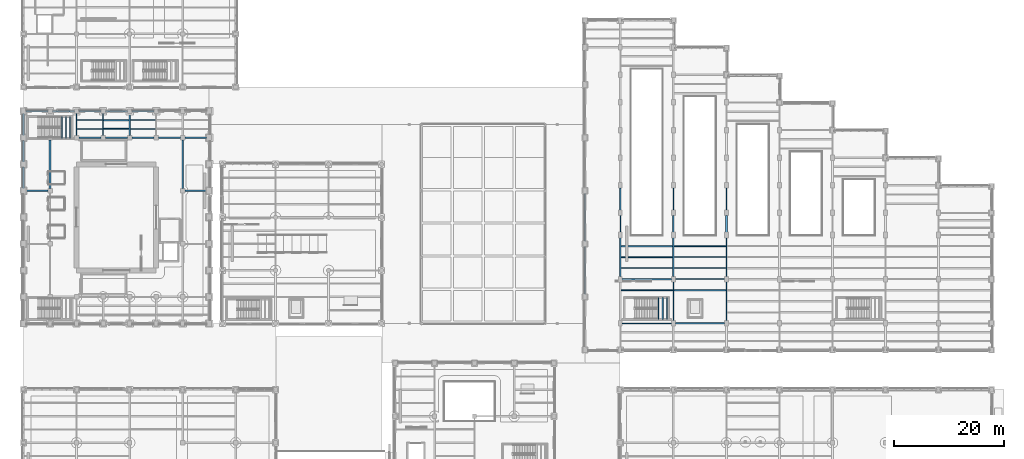
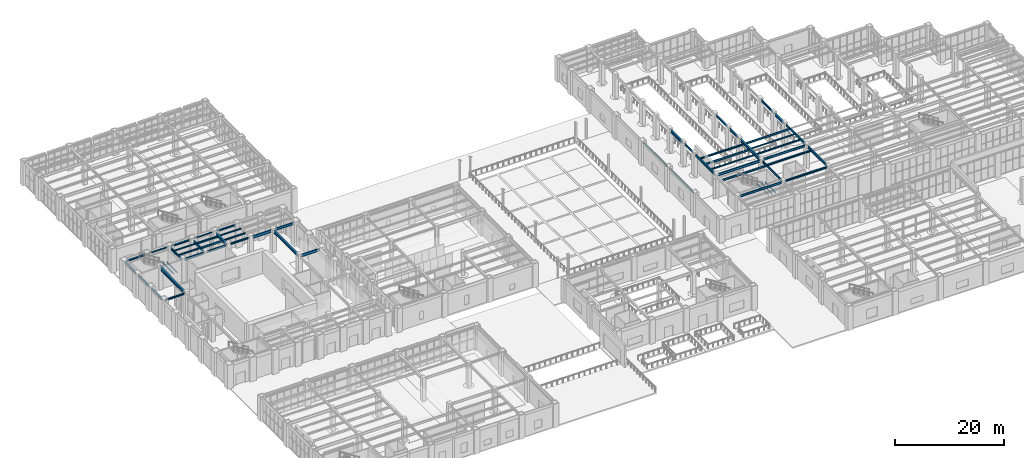
# One storey, part 57 of 164: 57 beams.
"""IFC4 building model written with IfcOpenShell, lengths in metres."""

import ifcopenshell
import ifcopenshell.guid

model = None  # the IFC model being written
_history = None  # IfcOwnerHistory: only IFC2X3 demands one
_inside = {}  # id of a spatial element -> (the spatial element, [elements in it])
_under = {}  # id of a project, library or spatial element -> (it, [spatial elements below it])
_declared = {}  # id of a project -> (the project, [libraries it declares])
_typed = {}  # id of a type object -> (the type object, [elements of that type])
_made_of = {}  # id of a material, layer set ... -> (it, [elements and type objects made of it])


def new_model(schema):
    """Start an empty IFC model of exactly this schema.

    Asked for "IFC4X3", IfcOpenShell would pick the latest addendum, in which some entities
    have other attributes; the version numbers below select the first issue.
    IFC2X3 requires an IfcOwnerHistory on every rooted entity: one is made here for all.
    """
    global model, _history
    if schema == "IFC4X3":
        model = ifcopenshell.file(schema_version=(4, 3, 0, 0))
    else:
        model = ifcopenshell.file(schema=schema)
    _inside.clear()
    _under.clear()
    _declared.clear()
    _typed.clear()
    _made_of.clear()
    _history = None
    if model.schema == "IFC2X3":
        org = make("IfcOrganization", Name="unknown")
        user = make(
            "IfcPersonAndOrganization",
            ThePerson=make("IfcPerson", FamilyName="unknown"),
            TheOrganization=org,
        )
        app = make(
            "IfcApplication",
            ApplicationDeveloper=org,
            Version="unknown",
            ApplicationFullName="unknown",
            ApplicationIdentifier="unknown",
        )
        _history = make(
            "IfcOwnerHistory",
            OwningUser=user,
            OwningApplication=app,
            ChangeAction="ADDED",
            CreationDate=0,
        )
    return model


def make(cls, **values):
    """One entity of the class cls with the attributes given. An attribute that is None is left unset."""
    return model.create_entity(
        cls, **{name: value for name, value in values.items() if value is not None}
    )


def rooted(cls, **values):
    """An entity with a GlobalId (a new one), such as an element, a storey or a relation."""
    return make(cls, GlobalId=ifcopenshell.guid.new(), OwnerHistory=_history, **values)


def si_unit(unit_type, name, prefix=None):
    """IfcSIUnit, for example si_unit("LENGTHUNIT", "METRE", prefix="MILLI")."""
    return make("IfcSIUnit", UnitType=unit_type, Prefix=prefix, Name=name)


def assignment(units):
    """IfcUnitAssignment: the units of a project."""
    return None if units is None else make("IfcUnitAssignment", Units=units)


def point(xyz):
    """IfcCartesianPoint."""
    return None if xyz is None else make("IfcCartesianPoint", Coordinates=xyz)


def direction(xyz):
    """IfcDirection."""
    return None if xyz is None else make("IfcDirection", DirectionRatios=xyz)


def frame(location, z_axis=None, x_axis=None):
    """IfcAxis2Placement3D, a coordinate frame: its origin and axes. An axis left out is left unset."""
    return make(
        "IfcAxis2Placement3D",
        Location=point(location),
        Axis=direction(z_axis),
        RefDirection=direction(x_axis),
    )


def frame_2d(location, x_axis=None):
    """IfcAxis2Placement2D, a coordinate frame in the plane: its origin and x axis."""
    return make(
        "IfcAxis2Placement2D", Location=point(location), RefDirection=direction(x_axis)
    )


def origin():
    """The frame at (0, 0, 0) with its axes left unset."""
    return frame((0.0, 0.0, 0.0))


def origin_2d():
    """The frame at (0, 0) in the plane with its x axis left unset."""
    return frame_2d((0.0, 0.0))


def place(relative_to, where):
    """IfcLocalPlacement: puts the frame where relative to a parent placement (None: the world)."""
    return make(
        "IfcLocalPlacement", PlacementRelTo=relative_to, RelativePlacement=where
    )


def context(
    kind, dimensions, precision=None, world=None, true_north=None, identifier=None
):
    """IfcGeometricRepresentationContext, for example the 3D "Model" context."""
    return make(
        "IfcGeometricRepresentationContext",
        ContextIdentifier=identifier,
        ContextType=kind,
        CoordinateSpaceDimension=dimensions,
        Precision=precision,
        WorldCoordinateSystem=world,
        TrueNorth=true_north,
    )


def subcontext(parent, identifier, kind, view, scale=None):
    """IfcGeometricRepresentationSubContext, for example "Body" below "Model"."""
    return make(
        "IfcGeometricRepresentationSubContext",
        ContextIdentifier=identifier,
        ContextType=kind,
        ParentContext=parent,
        TargetScale=scale,
        TargetView=view,
    )


def project(units=None, contexts=None):
    """IfcProject with its units and contexts."""
    return rooted(
        "IfcProject",
        Name="project",
        RepresentationContexts=contexts,
        UnitsInContext=assignment(units),
    )


def spatial(cls, under=None, at=None, **own):
    """A site, building, storey or space (cls), placed at a placement, below another one or the project."""
    s = rooted(cls, ObjectPlacement=at, **own)
    if under is not None:
        _under.setdefault(under.id(), (under, []))[1].append(s)
    return s


def profile(cls, at=None, kind="AREA", **sizes):
    """A parametric profile (cls). Its sizes go by their IFC names, for example OverallWidth=200.0."""
    return make(cls, ProfileType=kind, Position=at, **sizes)


def hollow_rectangle(**sizes):
    """IfcRectangleHollowProfileDef."""
    return profile("IfcRectangleHollowProfileDef", **sizes)


def i_section(**sizes):
    """IfcIShapeProfileDef."""
    return profile("IfcIShapeProfileDef", **sizes)


def extrude(swept, where, along, depth):
    """IfcExtrudedAreaSolid: the profile swept, set in the frame where, extruded along a direction by depth."""
    return make(
        "IfcExtrudedAreaSolid",
        SweptArea=swept,
        Position=where,
        ExtrudedDirection=direction(along),
        Depth=depth,
    )


def shape(context_of_items, identifier, shape_type, items):
    """IfcShapeRepresentation: the items that make up one representation, for example the "Body"."""
    return make(
        "IfcShapeRepresentation",
        ContextOfItems=context_of_items,
        RepresentationIdentifier=identifier,
        RepresentationType=shape_type,
        Items=items,
    )


def material(Name=None, Category=None):
    """IfcMaterial."""
    return make("IfcMaterial", Name=Name, Category=Category)


def material_profile(
    of_material, cross_section, Name=None, Category=None, Priority=None
):
    """IfcMaterialProfile: a cross section and its material."""
    return make(
        "IfcMaterialProfile",
        Name=Name,
        Material=of_material,
        Profile=cross_section,
        Priority=Priority,
        Category=Category,
    )


def profile_set(profiles, Name=None, composite=None):
    """IfcMaterialProfileSet."""
    return make(
        "IfcMaterialProfileSet",
        Name=Name,
        MaterialProfiles=profiles,
        CompositeProfile=composite,
    )


def made_of(thing, what):
    """Note that an element or type object is made of a material, layer set ...; save() writes the relation."""
    if what is not None:
        _made_of.setdefault(what.id(), (what, []))[1].append(thing)
    return thing


def type_object(cls, material=None, **own):
    """A type object (cls), such as IfcWallType, which elements share."""
    return made_of(rooted(cls, **own), material)


def element(
    cls,
    number,
    at=None,
    inside=None,
    cuts=None,
    type_object=None,
    material=None,
    context=None,
    identifier="Body",
    shape_type=None,
    held_by="IfcProductDefinitionShape",
    body=None,
    shapes=None,
    **own,
):
    """One element of the class cls, such as IfcWall. Its Tag is "e" and its number.

    at: its placement. inside: the storey or other place that contains it. cuts: it is an
    opening in that element (IfcRelVoidsElement). A single representation is given by context,
    identifier, shape_type and body (its items); several are given by shapes. held_by: the class
    of the entity that holds the representations. save() writes the other relations.
    """
    e = rooted(cls, Tag="e%d" % number, ObjectPlacement=at, **own)
    if body is not None:
        shapes = [shape(context, identifier, shape_type, body)]
    if shapes is not None:
        e.Representation = make(held_by, Representations=shapes)
    if inside is not None:
        _inside.setdefault(inside.id(), (inside, []))[1].append(e)
    if cuts is not None:
        rooted(
            "IfcRelVoidsElement", RelatingBuildingElement=cuts, RelatedOpeningElement=e
        )
    if type_object is not None:
        _typed.setdefault(type_object.id(), (type_object, []))[1].append(e)
    return made_of(e, material)


def aggregate(whole, parts):
    """IfcRelAggregates: a whole, such as a stair, and the parts it consists of."""
    return rooted("IfcRelAggregates", RelatingObject=whole, RelatedObjects=parts)


def save(model, path):
    """Write the relations noted so far, then the file.

    IfcRelAggregates (storeys below a building ...), IfcRelContainedInSpatialStructure (elements
    in a storey), IfcRelDefinesByType, IfcRelAssociatesMaterial and IfcRelDeclares: one each for
    every whole, place, type object, material and project.
    """
    for whole, parts in _under.values():
        aggregate(whole, parts)
    for where, things in _inside.values():
        rooted(
            "IfcRelContainedInSpatialStructure",
            RelatedElements=things,
            RelatingStructure=where,
        )
    for kind, things in _typed.values():
        rooted("IfcRelDefinesByType", RelatedObjects=things, RelatingType=kind)
    for what, things in _made_of.values():
        rooted("IfcRelAssociatesMaterial", RelatedObjects=things, RelatingMaterial=what)
    for by, libraries in _declared.values():
        rooted("IfcRelDeclares", RelatingContext=by, RelatedDefinitions=libraries)
    model.write(path)


model = new_model("IFC4")

# Units and contexts
model_context = context("Model", 3, precision=1e-05, world=origin(), true_north=direction((0.0, 1.0)))
body_context = subcontext(model_context, "Body", "Model", "MODEL_VIEW")
ifc_project = project(units=[si_unit("LENGTHUNIT", "METRE"), si_unit("AREAUNIT", "SQUARE_METRE"), si_unit("VOLUMEUNIT", "CUBIC_METRE"), si_unit("PLANEANGLEUNIT", "RADIAN"), si_unit("MASSUNIT", "GRAM", prefix="KILO")], contexts=[model_context])

# Site, building, storey
site_placement = place(None, origin())
site = spatial("IfcSite", under=ifc_project, at=site_placement, CompositionType="ELEMENT")
building_placement = place(site_placement, origin())
building = spatial("IfcBuilding", under=site, at=building_placement, Name="Mavantir Sound Aquarium", CompositionType="ELEMENT")
storey_placement = place(building_placement, origin())
storey = spatial("IfcBuildingStorey", under=building, at=storey_placement, Name="L00", CompositionType="ELEMENT", Elevation=0.0)

# Beams
ifc_material_1 = material(Name="Hollow Structural Steel ASTM A500 GrC", Category="steel")
ifc_material_profile_1 = material_profile(ifc_material_1, hollow_rectangle(XDim=0.199951171875, YDim=0.300048828125, WallThickness=0.012451171875, InnerFilletRadius=0.012451171875, OuterFilletRadius=0.02490234375, at=origin_2d()), Name="RHS 300X200X12.5")
ifc_profile_set_1 = profile_set([ifc_material_profile_1], Name="Hollow Structural Steel ASTM A500 GrC")
beam_type_1 = type_object("IfcBeamType", Name="BM-RHS300-E", PredefinedType="SPANDREL", material=ifc_profile_set_1)
beam_1_placement = place(storey_placement, frame((101.60009765625, 46.050048828125, 4.916015625), z_axis=(0.0, 1.0, 0.0), x_axis=(-1.0, 0.0, 0.0)))
element("IfcBeam", 1, at=beam_1_placement, inside=storey, type_object=beam_type_1, Name="L00 primary girder SS-R30 957", PredefinedType="SPANDREL", context=body_context, shape_type="SweptSolid", body=[
    extrude(hollow_rectangle(XDim=0.199951171875, YDim=0.300048828125, WallThickness=0.012451171875, InnerFilletRadius=0.012451171875, OuterFilletRadius=0.02490234375, at=origin_2d()), origin(), (0.0, 0.0, 1.0), 8.699951171875),
])
beam_2_placement = place(storey_placement, frame((101.60009765625, 55.64990234375, 4.916015625), z_axis=(0.0, 1.0, 0.0), x_axis=(-1.0, 0.0, 0.0)))
element("IfcBeam", 2, at=beam_2_placement, inside=storey, type_object=beam_type_1, Name="L00 primary girder SS-R30 958", PredefinedType="SPANDREL", context=body_context, shape_type="SweptSolid", body=[
    extrude(hollow_rectangle(XDim=0.199951171875, YDim=0.300048828125, WallThickness=0.012451171875, InnerFilletRadius=0.012451171875, OuterFilletRadius=0.02490234375, at=origin_2d()), origin(), (0.0, 0.0, 1.0), 8.7001953125),
])
ifc_material_2 = material(Name="Structural Steel ASTM A992 Gr50", Category="steel")
ifc_material_profile_2 = material_profile(ifc_material_2, i_section(OverallWidth=0.202880859375, OverallDepth=0.202880859375, WebThickness=0.007080078125, FlangeThickness=0.010986328125, FilletRadius=0.010009765625, at=origin_2d()), Name="W200X46")
ifc_profile_set_2 = profile_set([ifc_material_profile_2], Name="Structural Steel ASTM A992 Gr50")
beam_type_2 = type_object("IfcBeamType", Name="BM-W200X46-E", PredefinedType="LINTEL", material=ifc_profile_set_2)
for number, where, z_axis, x_axis, name in (
    (3, (5.22509765625, 79.199951171875, 4.89453125), (1.0, 0.0, 0.0), (0.0, 1.0, 0.0), "L00 primary beam SL-20 828"),
    (4, (14.824951171875, 79.199951171875, 4.89453125), (1.0, 0.0, 0.0), (0.0, 1.0, 0.0), "L00 primary beam SL-20 830"),
):
    element("IfcBeam", number, at=place(storey_placement, frame(where, z_axis=z_axis, x_axis=x_axis)), inside=storey, type_object=beam_type_2, Name=name, PredefinedType="LINTEL", context=body_context, shape_type="SweptSolid", body=[
        extrude(i_section(OverallWidth=0.202880859375, OverallDepth=0.202880859375, WebThickness=0.007080078125, FlangeThickness=0.010986328125, FilletRadius=0.010009765625, at=origin_2d()), origin(), (0.0, 0.0, 1.0), 3.949951171875),
    ])
ifc_material_profile_3 = material_profile(ifc_material_2, i_section(OverallWidth=0.202880859375, OverallDepth=0.202880859375, WebThickness=0.007080078125, FlangeThickness=0.010986328125, FilletRadius=0.010009765625, at=origin_2d()), Name="W200X46")
ifc_profile_set_3 = profile_set([ifc_material_profile_3], Name="Structural Steel ASTM A992 Gr50")
beam_type_3 = type_object("IfcBeamType", Name="BM-W200X46-I", PredefinedType="LINTEL", material=ifc_profile_set_3)
for number, where, z_axis, x_axis, name in (
    (5, (6.929931640625, 74.27490234375, 2.3955078125), (0.0, 1.0, 0.0), (-1.0, 0.0, 0.0), "Stair ST2 landing support beam 22"),
    (6, (7.679931640625, 74.27490234375, 2.3955078125), (0.0, 1.0, 0.0), (-1.0, 0.0, 0.0), "Stair ST2 landing support beam 23"),
    (7, (8.429931640625, 74.27490234375, 2.3955078125), (0.0, 1.0, 0.0), (-1.0, 0.0, 0.0), "Stair ST2 landing support beam 24"),
    (8, (114.929931640625, 41.47509765625, 2.3955078125), (0.0, 1.0, 0.0), (-1.0, 0.0, 0.0), "Stair ST4 landing support beam 58"),
    (9, (115.679931640625, 41.47509765625, 2.3955078125), (0.0, 1.0, 0.0), (-1.0, 0.0, 0.0), "Stair ST4 landing support beam 59"),
    (10, (116.429931640625, 41.47509765625, 2.3955078125), (0.0, 1.0, 0.0), (-1.0, 0.0, 0.0), "Stair ST4 landing support beam 60"),
):
    element("IfcBeam", number, at=place(storey_placement, frame(where, z_axis=z_axis, x_axis=x_axis)), inside=storey, type_object=beam_type_3, Name=name, PredefinedType="LINTEL", context=body_context, shape_type="SweptSolid", body=[
        extrude(i_section(OverallWidth=0.202880859375, OverallDepth=0.202880859375, WebThickness=0.007080078125, FlangeThickness=0.010986328125, FilletRadius=0.010009765625, at=origin_2d()), origin(), (0.0, 0.0, 1.0), 4.0),
    ])
ifc_material_profile_4 = material_profile(ifc_material_2, i_section(OverallWidth=0.202880859375, OverallDepth=0.251953125, WebThickness=0.008056640625, FlangeThickness=0.013427734375, FilletRadius=0.011962890625, at=origin_2d()), Name="W250X58")
ifc_profile_set_4 = profile_set([ifc_material_profile_4], Name="Structural Steel ASTM A992 Gr50")
beam_type_4 = type_object("IfcBeamType", Name="BM-W250X58-I", PredefinedType="JOIST", material=ifc_profile_set_4)
beam_3_placement = place(storey_placement, frame((9.697021484375, 77.60009765625, 4.8701171875), z_axis=(1.0, 0.0, 0.0), x_axis=(0.0, 1.0, 0.0)))
element("IfcBeam", 11, at=beam_3_placement, inside=storey, type_object=beam_type_4, Name="L00 secondary floor joist SJ-25 452", PredefinedType="JOIST", context=body_context, shape_type="SweptSolid", body=[
    extrude(i_section(OverallWidth=0.202880859375, OverallDepth=0.251953125, WebThickness=0.008056640625, FlangeThickness=0.013427734375, FilletRadius=0.011962890625, at=origin_2d()), origin(), (0.0, 0.0, 1.0), 4.596923828125),
])
beam_4_placement = place(storey_placement, frame((19.362060546875, 77.60009765625, 4.8701171875), z_axis=(1.0, 0.0, 0.0), x_axis=(0.0, 1.0, 0.0)))
element("IfcBeam", 12, at=beam_4_placement, inside=storey, type_object=beam_type_4, Name="L00 secondary floor joist SJ-25 456", PredefinedType="JOIST", context=body_context, shape_type="SweptSolid", body=[
    extrude(i_section(OverallWidth=0.202880859375, OverallDepth=0.251953125, WebThickness=0.008056640625, FlangeThickness=0.013427734375, FilletRadius=0.011962890625, at=origin_2d()), origin(), (0.0, 0.0, 1.0), 4.541015625),
])
beam_5_placement = place(storey_placement, frame((108.10595703125, 50.800048828125, 4.93994140625), z_axis=(1.0, 0.0, 0.0), x_axis=(0.0, 1.0, 0.0)))
element("IfcBeam", 13, at=beam_5_placement, inside=storey, type_object=beam_type_4, Name="L00 secondary floor joist SJ-25 536", PredefinedType="JOIST", context=body_context, shape_type="SweptSolid", body=[
    extrude(i_section(OverallWidth=0.202880859375, OverallDepth=0.251953125, WebThickness=0.008056640625, FlangeThickness=0.013427734375, FilletRadius=0.011962890625, at=origin_2d()), origin(), (0.0, 0.0, 1.0), 9.33203125),
])
beam_6_placement = place(storey_placement, frame((117.761962890625, 52.800048828125, 4.97998046875), z_axis=(1.0, 0.0, 0.0), x_axis=(0.0, 1.0, 0.0)))
element("IfcBeam", 14, at=beam_6_placement, inside=storey, type_object=beam_type_4, Name="L00 secondary floor joist SJ-25 540", PredefinedType="JOIST", context=body_context, shape_type="SweptSolid", body=[
    extrude(i_section(OverallWidth=0.202880859375, OverallDepth=0.251953125, WebThickness=0.008056640625, FlangeThickness=0.013427734375, FilletRadius=0.011962890625, at=origin_2d()), origin(), (0.0, 0.0, 1.0), 9.341064453125),
])
ifc_material_profile_5 = material_profile(ifc_material_2, i_section(OverallWidth=0.205078125, OverallDepth=0.31005859375, WebThickness=0.009521484375, FlangeThickness=0.016357421875, FilletRadius=0.012939453125, at=origin_2d()), Name="W310X74")
ifc_profile_set_5 = profile_set([ifc_material_profile_5], Name="Structural Steel ASTM A992 Gr50")
beam_type_5 = type_object("IfcBeamType", Name="BM-W310X74-I", PredefinedType="JOIST", material=ifc_profile_set_5)
beam_7_placement = place(storey_placement, frame((9.697021484375, 76.0, 4.841064453125), z_axis=(1.0, 0.0, 0.0), x_axis=(0.0, 1.0, 0.0)))
element("IfcBeam", 15, at=beam_7_placement, inside=storey, type_object=beam_type_5, Name="L00 secondary floor joist SJ-31 451", PredefinedType="JOIST", context=body_context, shape_type="SweptSolid", body=[
    extrude(i_section(OverallWidth=0.205078125, OverallDepth=0.31005859375, WebThickness=0.009521484375, FlangeThickness=0.016357421875, FilletRadius=0.012939453125, at=origin_2d()), origin(), (0.0, 0.0, 1.0), 4.596923828125),
])
beam_8_placement = place(storey_placement, frame((19.362060546875, 76.0, 4.841064453125), z_axis=(1.0, 0.0, 0.0), x_axis=(0.0, 1.0, 0.0)))
element("IfcBeam", 16, at=beam_8_placement, inside=storey, type_object=beam_type_5, Name="L00 secondary floor joist SJ-31 455", PredefinedType="JOIST", context=body_context, shape_type="SweptSolid", body=[
    extrude(i_section(OverallWidth=0.205078125, OverallDepth=0.31005859375, WebThickness=0.009521484375, FlangeThickness=0.016357421875, FilletRadius=0.012939453125, at=origin_2d()), origin(), (0.0, 0.0, 1.0), 4.541015625),
])
beam_9_placement = place(storey_placement, frame((117.761962890625, 50.800048828125, 4.950927734375), z_axis=(1.0, 0.0, 0.0), x_axis=(0.0, 1.0, 0.0)))
element("IfcBeam", 17, at=beam_9_placement, inside=storey, type_object=beam_type_5, Name="L00 secondary floor joist SJ-31 539", PredefinedType="JOIST", context=body_context, shape_type="SweptSolid", body=[
    extrude(i_section(OverallWidth=0.205078125, OverallDepth=0.31005859375, WebThickness=0.009521484375, FlangeThickness=0.016357421875, FilletRadius=0.012939453125, at=origin_2d()), origin(), (0.0, 0.0, 1.0), 9.341064453125),
])
ifc_material_profile_6 = material_profile(ifc_material_2, i_section(OverallWidth=0.304931640625, OverallDepth=0.30810546875, WebThickness=0.010009765625, FlangeThickness=0.015380859375, FilletRadius=0.014892578125, at=origin_2d()), Name="W310X97")
ifc_profile_set_6 = profile_set([ifc_material_profile_6], Name="Structural Steel ASTM A992 Gr50")
beam_type_6 = type_object("IfcBeamType", Name="BM-W310X97-E", PredefinedType="SPANDREL", material=ifc_profile_set_6)
beam_10_placement = place(storey_placement, frame((0.449951171875, 79.199951171875, 4.842041015625), z_axis=(1.0, 0.0, 0.0), x_axis=(0.0, 1.0, 0.0)))
element("IfcBeam", 18, at=beam_10_placement, inside=storey, type_object=beam_type_6, Name="L00 primary beam SS-31A 827", PredefinedType="SPANDREL", context=body_context, shape_type="SweptSolid", body=[
    extrude(i_section(OverallWidth=0.304931640625, OverallDepth=0.30810546875, WebThickness=0.010009765625, FlangeThickness=0.015380859375, FilletRadius=0.014892578125, at=origin_2d()), origin(), (0.0, 0.0, 1.0), 3.925048828125),
])
beam_11_placement = place(storey_placement, frame((10.02490234375, 79.199951171875, 4.842041015625), z_axis=(1.0, 0.0, 0.0), x_axis=(0.0, 1.0, 0.0)))
element("IfcBeam", 19, at=beam_11_placement, inside=storey, type_object=beam_type_6, Name="L00 primary beam SS-31A 829", PredefinedType="SPANDREL", context=body_context, shape_type="SweptSolid", body=[
    extrude(i_section(OverallWidth=0.304931640625, OverallDepth=0.30810546875, WebThickness=0.010009765625, FlangeThickness=0.015380859375, FilletRadius=0.014892578125, at=origin_2d()), origin(), (0.0, 0.0, 1.0), 3.9501953125),
])
beam_12_placement = place(storey_placement, frame((19.625, 79.199951171875, 4.842041015625), z_axis=(1.0, 0.0, 0.0), x_axis=(0.0, 1.0, 0.0)))
element("IfcBeam", 20, at=beam_12_placement, inside=storey, type_object=beam_type_6, Name="L00 primary beam SS-31A 831", PredefinedType="SPANDREL", context=body_context, shape_type="SweptSolid", body=[
    extrude(i_section(OverallWidth=0.304931640625, OverallDepth=0.30810546875, WebThickness=0.010009765625, FlangeThickness=0.015380859375, FilletRadius=0.014892578125, at=origin_2d()), origin(), (0.0, 0.0, 1.0), 3.949951171875),
])
for number, where, z_axis, x_axis, name in (
    (21, (0.0, 65.25, 4.842041015625), (0.0, 1.0, 0.0), (-1.0, 0.0, 0.0), "L00 primary girder SS-31A 839"),
    (22, (0.0, 70.050048828125, 4.842041015625), (0.0, 1.0, 0.0), (-1.0, 0.0, 0.0), "L00 primary girder SS-31A 840"),
    (23, (0.0, 74.85009765625, 4.842041015625), (0.0, 1.0, 0.0), (-1.0, 0.0, 0.0), "L00 primary girder SS-31A 841"),
):
    element("IfcBeam", number, at=place(storey_placement, frame(where, z_axis=z_axis, x_axis=x_axis)), inside=storey, type_object=beam_type_6, Name=name, PredefinedType="SPANDREL", context=body_context, shape_type="SweptSolid", body=[
        extrude(i_section(OverallWidth=0.304931640625, OverallDepth=0.30810546875, WebThickness=0.010009765625, FlangeThickness=0.015380859375, FilletRadius=0.014892578125, at=origin_2d()), origin(), (0.0, 0.0, 1.0), 3.89990234375),
    ])
ifc_material_profile_7 = material_profile(ifc_material_2, i_section(OverallWidth=0.257080078125, OverallDepth=0.363037109375, WebThickness=0.012939453125, FlangeThickness=0.021728515625, FilletRadius=0.014892578125, at=origin_2d()), Name="W360X122")
ifc_profile_set_7 = profile_set([ifc_material_profile_7], Name="Structural Steel ASTM A992 Gr50")
beam_type_7 = type_object("IfcBeamType", Name="BM-W360X122-I", PredefinedType="BEAM", material=ifc_profile_set_7)
beam_13_placement = place(storey_placement, frame((0.449951171875, 64.800048828125, 4.814453125), z_axis=(1.0, 0.0, 0.0), x_axis=(0.0, 1.0, 0.0)))
element("IfcBeam", 24, at=beam_13_placement, inside=storey, type_object=beam_type_7, Name="L00 primary beam SB-36A 820", PredefinedType="BEAM", context=body_context, shape_type="SweptSolid", body=[
    extrude(i_section(OverallWidth=0.257080078125, OverallDepth=0.363037109375, WebThickness=0.012939453125, FlangeThickness=0.021728515625, FilletRadius=0.014892578125, at=origin_2d()), origin(), (0.0, 0.0, 1.0), 3.925048828125),
])
beam_14_placement = place(storey_placement, frame((19.625, 74.39990234375, 4.814453125), z_axis=(1.0, 0.0, 0.0), x_axis=(0.0, 1.0, 0.0)))
element("IfcBeam", 25, at=beam_14_placement, inside=storey, type_object=beam_type_7, Name="L00 primary beam SB-36A 824", PredefinedType="BEAM", context=body_context, shape_type="SweptSolid", body=[
    extrude(i_section(OverallWidth=0.257080078125, OverallDepth=0.363037109375, WebThickness=0.012939453125, FlangeThickness=0.021728515625, FilletRadius=0.014892578125, at=origin_2d()), origin(), (0.0, 0.0, 1.0), 3.949951171875),
])
beam_15_placement = place(storey_placement, frame((117.949951171875, 40.800048828125, 4.884521484375), z_axis=(1.0, 0.0, 0.0), x_axis=(0.0, 1.0, 0.0)))
element("IfcBeam", 26, at=beam_15_placement, inside=storey, type_object=beam_type_7, Name="L00 primary beam SB-36A 932", PredefinedType="BEAM", context=body_context, shape_type="SweptSolid", body=[
    extrude(i_section(OverallWidth=0.257080078125, OverallDepth=0.363037109375, WebThickness=0.012939453125, FlangeThickness=0.021728515625, FilletRadius=0.014892578125, at=origin_2d()), origin(), (0.0, 0.0, 1.0), 8.900146484375),
])
ifc_material_profile_8 = material_profile(ifc_material_2, i_section(OverallWidth=0.25390625, OverallDepth=0.35302734375, WebThickness=0.009521484375, FlangeThickness=0.016357421875, FilletRadius=0.014892578125, at=origin_2d()), Name="W360X91")
ifc_profile_set_8 = profile_set([ifc_material_profile_8], Name="Structural Steel ASTM A992 Gr50")
beam_type_8 = type_object("IfcBeamType", Name="BM-W360X91-I", PredefinedType="JOIST", material=ifc_profile_set_8)
beam_16_placement = place(storey_placement, frame((14.506103515625, 77.60009765625, 4.819580078125), z_axis=(1.0, 0.0, 0.0), x_axis=(0.0, 1.0, 0.0)))
element("IfcBeam", 27, at=beam_16_placement, inside=storey, type_object=beam_type_8, Name="L00 secondary floor joist SJ-36 454", PredefinedType="JOIST", context=body_context, shape_type="SweptSolid", body=[
    extrude(i_section(OverallWidth=0.25390625, OverallDepth=0.35302734375, WebThickness=0.009521484375, FlangeThickness=0.016357421875, FilletRadius=0.014892578125, at=origin_2d()), origin(), (0.0, 0.0, 1.0), 4.531982421875),
])
beam_17_placement = place(storey_placement, frame((117.697021484375, 46.800048828125, 4.929443359375), z_axis=(1.0, 0.0, 0.0), x_axis=(0.0, 1.0, 0.0)))
element("IfcBeam", 28, at=beam_17_placement, inside=storey, type_object=beam_type_8, Name="L00 secondary floor joist SJ-36 522", PredefinedType="JOIST", context=body_context, shape_type="SweptSolid", body=[
    extrude(i_section(OverallWidth=0.25390625, OverallDepth=0.35302734375, WebThickness=0.009521484375, FlangeThickness=0.016357421875, FilletRadius=0.014892578125, at=origin_2d()), origin(), (0.0, 0.0, 1.0), 9.39697265625),
])
beam_18_placement = place(storey_placement, frame((108.10595703125, 54.800048828125, 4.889404296875), z_axis=(1.0, 0.0, 0.0), x_axis=(0.0, 1.0, 0.0)))
element("IfcBeam", 29, at=beam_18_placement, inside=storey, type_object=beam_type_8, Name="L00 secondary floor joist SJ-36 538", PredefinedType="JOIST", context=body_context, shape_type="SweptSolid", body=[
    extrude(i_section(OverallWidth=0.25390625, OverallDepth=0.35302734375, WebThickness=0.009521484375, FlangeThickness=0.016357421875, FilletRadius=0.014892578125, at=origin_2d()), origin(), (0.0, 0.0, 1.0), 9.33203125),
])
ifc_material_profile_9 = material_profile(ifc_material_2, i_section(OverallWidth=0.180908203125, OverallDepth=0.4169921875, WebThickness=0.010986328125, FlangeThickness=0.018310546875, FilletRadius=0.014892578125, at=origin_2d()), Name="W410X85")
ifc_profile_set_9 = profile_set([ifc_material_profile_9], Name="Structural Steel ASTM A992 Gr50")
beam_type_9 = type_object("IfcBeamType", Name="BM-W410X85-I", PredefinedType="JOIST", material=ifc_profile_set_9)
beam_19_placement = place(storey_placement, frame((14.506103515625, 76.0, 4.78759765625), z_axis=(1.0, 0.0, 0.0), x_axis=(0.0, 1.0, 0.0)))
element("IfcBeam", 30, at=beam_19_placement, inside=storey, type_object=beam_type_9, Name="L00 secondary floor joist SJ-41 453", PredefinedType="JOIST", context=body_context, shape_type="SweptSolid", body=[
    extrude(i_section(OverallWidth=0.180908203125, OverallDepth=0.4169921875, WebThickness=0.010986328125, FlangeThickness=0.018310546875, FilletRadius=0.014892578125, at=origin_2d()), origin(), (0.0, 0.0, 1.0), 4.531982421875),
])
beam_20_placement = place(storey_placement, frame((108.162109375, 46.800048828125, 4.857421875), z_axis=(1.0, 0.0, 0.0), x_axis=(0.0, 1.0, 0.0)))
element("IfcBeam", 31, at=beam_20_placement, inside=storey, type_object=beam_type_9, Name="L00 secondary floor joist SJ-41 521", PredefinedType="JOIST", context=body_context, shape_type="SweptSolid", body=[
    extrude(i_section(OverallWidth=0.180908203125, OverallDepth=0.4169921875, WebThickness=0.010986328125, FlangeThickness=0.018310546875, FilletRadius=0.014892578125, at=origin_2d()), origin(), (0.0, 0.0, 1.0), 9.3408203125),
])
beam_21_placement = place(storey_placement, frame((108.10595703125, 52.800048828125, 4.857421875), z_axis=(1.0, 0.0, 0.0), x_axis=(0.0, 1.0, 0.0)))
element("IfcBeam", 32, at=beam_21_placement, inside=storey, type_object=beam_type_9, Name="L00 secondary floor joist SJ-41 537", PredefinedType="JOIST", context=body_context, shape_type="SweptSolid", body=[
    extrude(i_section(OverallWidth=0.180908203125, OverallDepth=0.4169921875, WebThickness=0.010986328125, FlangeThickness=0.018310546875, FilletRadius=0.014892578125, at=origin_2d()), origin(), (0.0, 0.0, 1.0), 9.33203125),
])
beam_22_placement = place(storey_placement, frame((117.761962890625, 54.800048828125, 4.8974609375), z_axis=(1.0, 0.0, 0.0), x_axis=(0.0, 1.0, 0.0)))
element("IfcBeam", 33, at=beam_22_placement, inside=storey, type_object=beam_type_9, Name="L00 secondary floor joist SJ-41 541", PredefinedType="JOIST", context=body_context, shape_type="SweptSolid", body=[
    extrude(i_section(OverallWidth=0.180908203125, OverallDepth=0.4169921875, WebThickness=0.010986328125, FlangeThickness=0.018310546875, FilletRadius=0.014892578125, at=origin_2d()), origin(), (0.0, 0.0, 1.0), 9.341064453125),
])
ifc_material_profile_10 = material_profile(ifc_material_2, i_section(OverallWidth=0.194091796875, OverallDepth=0.468994140625, WebThickness=0.0126953125, FlangeThickness=0.0205078125, FilletRadius=0.01611328125, at=origin_2d()), Name="W460X106")
ifc_profile_set_10 = profile_set([ifc_material_profile_10], Name="Structural Steel ASTM A992 Gr50")
beam_type_10 = type_object("IfcBeamType", Name="BM-W460X106-I", PredefinedType="BEAM", material=ifc_profile_set_10)
for number, where, z_axis, x_axis, name in (
    (34, (14.824951171875, 74.39990234375, 4.761474609375), (1.0, 0.0, 0.0), (0.0, 1.0, 0.0), "L00 primary beam SB-46 823"),
    (35, (9.60009765625, 74.824951171875, 4.761474609375), (0.0, 1.0, 0.0), (-1.0, 0.0, 0.0), "L00 primary girder SB-46 846"),
):
    element("IfcBeam", number, at=place(storey_placement, frame(where, z_axis=z_axis, x_axis=x_axis)), inside=storey, type_object=beam_type_10, Name=name, PredefinedType="BEAM", context=body_context, shape_type="SweptSolid", body=[
        extrude(i_section(OverallWidth=0.194091796875, OverallDepth=0.468994140625, WebThickness=0.0126953125, FlangeThickness=0.0205078125, FilletRadius=0.01611328125, at=origin_2d()), origin(), (0.0, 0.0, 1.0), 3.949951171875),
    ])
beam_23_placement = place(storey_placement, frame((108.35009765625, 40.800048828125, 4.83154296875), z_axis=(1.0, 0.0, 0.0), x_axis=(0.0, 1.0, 0.0)))
element("IfcBeam", 36, at=beam_23_placement, inside=storey, type_object=beam_type_10, Name="L00 primary beam SB-46 931", PredefinedType="BEAM", context=body_context, shape_type="SweptSolid", body=[
    extrude(i_section(OverallWidth=0.194091796875, OverallDepth=0.468994140625, WebThickness=0.0126953125, FlangeThickness=0.0205078125, FilletRadius=0.01611328125, at=origin_2d()), origin(), (0.0, 0.0, 1.0), 8.89990234375),
])
beam_24_placement = place(storey_placement, frame((117.949951171875, 48.800048828125, 4.87158203125), z_axis=(1.0, 0.0, 0.0), x_axis=(0.0, 1.0, 0.0)))
element("IfcBeam", 37, at=beam_24_placement, inside=storey, type_object=beam_type_10, Name="L00 primary beam SB-46 939", PredefinedType="BEAM", context=body_context, shape_type="SweptSolid", body=[
    extrude(i_section(OverallWidth=0.194091796875, OverallDepth=0.468994140625, WebThickness=0.0126953125, FlangeThickness=0.0205078125, FilletRadius=0.01611328125, at=origin_2d()), origin(), (0.0, 0.0, 1.0), 8.900146484375),
])
beam_25_placement = place(storey_placement, frame((108.0, 57.25, 4.83154296875), z_axis=(0.0, 1.0, 0.0), x_axis=(-1.0, 0.0, 0.0)))
element("IfcBeam", 38, at=beam_25_placement, inside=storey, type_object=beam_type_10, Name="L00 primary girder SB-46 966", PredefinedType="BEAM", context=body_context, shape_type="SweptSolid", body=[
    extrude(i_section(OverallWidth=0.194091796875, OverallDepth=0.468994140625, WebThickness=0.0126953125, FlangeThickness=0.0205078125, FilletRadius=0.01611328125, at=origin_2d()), origin(), (0.0, 0.0, 1.0), 3.10009765625),
])
beam_26_placement = place(storey_placement, frame((117.60009765625, 41.25, 4.83154296875), z_axis=(0.0, 1.0, 0.0), x_axis=(-1.0, 0.0, 0.0)))
element("IfcBeam", 39, at=beam_26_placement, inside=storey, type_object=beam_type_10, Name="L00 primary girder SB-46 975", PredefinedType="BEAM", context=body_context, shape_type="SweptSolid", body=[
    extrude(i_section(OverallWidth=0.194091796875, OverallDepth=0.468994140625, WebThickness=0.0126953125, FlangeThickness=0.0205078125, FilletRadius=0.01611328125, at=origin_2d()), origin(), (0.0, 0.0, 1.0), 7.10009765625),
])
beam_27_placement = place(storey_placement, frame((117.60009765625, 61.25, 4.83154296875), z_axis=(0.0, 1.0, 0.0), x_axis=(-1.0, 0.0, 0.0)))
element("IfcBeam", 40, at=beam_27_placement, inside=storey, type_object=beam_type_10, Name="L00 primary girder SB-46 978", PredefinedType="BEAM", context=body_context, shape_type="SweptSolid", body=[
    extrude(i_section(OverallWidth=0.194091796875, OverallDepth=0.468994140625, WebThickness=0.0126953125, FlangeThickness=0.0205078125, FilletRadius=0.01611328125, at=origin_2d()), origin(), (0.0, 0.0, 1.0), 4.10009765625),
])
beam_28_placement = place(storey_placement, frame((127.199951171875, 49.25, 4.8515625), z_axis=(0.0, 1.0, 0.0), x_axis=(-1.0, 0.0, 0.0)))
element("IfcBeam", 41, at=beam_28_placement, inside=storey, type_object=beam_type_10, Name="L00 primary girder SB-46 987", PredefinedType="BEAM", context=body_context, shape_type="SweptSolid", body=[
    extrude(i_section(OverallWidth=0.194091796875, OverallDepth=0.468994140625, WebThickness=0.0126953125, FlangeThickness=0.0205078125, FilletRadius=0.01611328125, at=origin_2d()), origin(), (0.0, 0.0, 1.0), 7.10009765625),
])
ifc_material_profile_11 = material_profile(ifc_material_2, i_section(OverallWidth=0.2119140625, OverallDepth=0.5439453125, WebThickness=0.01318359375, FlangeThickness=0.021240234375, FilletRadius=0.01806640625, at=origin_2d()), Name="W530X123")
ifc_profile_set_11 = profile_set([ifc_material_profile_11], Name="Structural Steel ASTM A992 Gr50")
beam_type_11 = type_object("IfcBeamType", Name="BM-W530X123-I", PredefinedType="BEAM", material=ifc_profile_set_11)
beam_29_placement = place(storey_placement, frame((10.02490234375, 74.39990234375, 4.72412109375), z_axis=(1.0, 0.0, 0.0), x_axis=(0.0, 1.0, 0.0)))
element("IfcBeam", 42, at=beam_29_placement, inside=storey, type_object=beam_type_11, Name="L00 primary beam SB-53 822", PredefinedType="BEAM", context=body_context, shape_type="SweptSolid", body=[
    extrude(i_section(OverallWidth=0.2119140625, OverallDepth=0.5439453125, WebThickness=0.01318359375, FlangeThickness=0.021240234375, FilletRadius=0.01806640625, at=origin_2d()), origin(), (0.0, 0.0, 1.0), 3.9501953125),
])
beam_30_placement = place(storey_placement, frame((29.22509765625, 74.39990234375, 4.72412109375), z_axis=(1.0, 0.0, 0.0), x_axis=(0.0, 1.0, 0.0)))
element("IfcBeam", 43, at=beam_30_placement, inside=storey, type_object=beam_type_11, Name="L00 primary beam SB-53 826", PredefinedType="BEAM", context=body_context, shape_type="SweptSolid", body=[
    extrude(i_section(OverallWidth=0.2119140625, OverallDepth=0.5439453125, WebThickness=0.01318359375, FlangeThickness=0.021240234375, FilletRadius=0.01806640625, at=origin_2d()), origin(), (0.0, 0.0, 1.0), 3.9248046875),
])
beam_31_placement = place(storey_placement, frame((14.39990234375, 74.824951171875, 4.72412109375), z_axis=(0.0, 1.0, 0.0), x_axis=(-1.0, 0.0, 0.0)))
element("IfcBeam", 44, at=beam_31_placement, inside=storey, type_object=beam_type_11, Name="L00 primary girder SB-53 848", PredefinedType="BEAM", context=body_context, shape_type="SweptSolid", body=[
    extrude(i_section(OverallWidth=0.2119140625, OverallDepth=0.5439453125, WebThickness=0.01318359375, FlangeThickness=0.021240234375, FilletRadius=0.01806640625, at=origin_2d()), origin(), (0.0, 0.0, 1.0), 3.949951171875),
])
beam_32_placement = place(storey_placement, frame((108.35009765625, 48.800048828125, 4.7939453125), z_axis=(1.0, 0.0, 0.0), x_axis=(0.0, 1.0, 0.0)))
element("IfcBeam", 45, at=beam_32_placement, inside=storey, type_object=beam_type_11, Name="L00 primary beam SB-53 938", PredefinedType="BEAM", context=body_context, shape_type="SweptSolid", body=[
    extrude(i_section(OverallWidth=0.2119140625, OverallDepth=0.5439453125, WebThickness=0.01318359375, FlangeThickness=0.021240234375, FilletRadius=0.01806640625, at=origin_2d()), origin(), (0.0, 0.0, 1.0), 8.89990234375),
])
beam_33_placement = place(storey_placement, frame((108.0, 49.25, 4.7939453125), z_axis=(0.0, 1.0, 0.0), x_axis=(-1.0, 0.0, 0.0)))
element("IfcBeam", 46, at=beam_33_placement, inside=storey, type_object=beam_type_11, Name="L00 primary girder SB-53 965", PredefinedType="BEAM", context=body_context, shape_type="SweptSolid", body=[
    extrude(i_section(OverallWidth=0.2119140625, OverallDepth=0.5439453125, WebThickness=0.01318359375, FlangeThickness=0.021240234375, FilletRadius=0.01806640625, at=origin_2d()), origin(), (0.0, 0.0, 1.0), 7.10009765625),
])
beam_34_placement = place(storey_placement, frame((117.60009765625, 57.25, 4.7939453125), z_axis=(0.0, 1.0, 0.0), x_axis=(-1.0, 0.0, 0.0)))
element("IfcBeam", 47, at=beam_34_placement, inside=storey, type_object=beam_type_11, Name="L00 primary girder SB-53 977", PredefinedType="BEAM", context=body_context, shape_type="SweptSolid", body=[
    extrude(i_section(OverallWidth=0.2119140625, OverallDepth=0.5439453125, WebThickness=0.01318359375, FlangeThickness=0.021240234375, FilletRadius=0.01806640625, at=origin_2d()), origin(), (0.0, 0.0, 1.0), 3.10009765625),
])
beam_35_placement = place(storey_placement, frame((127.199951171875, 41.25, 4.81396484375), z_axis=(0.0, 1.0, 0.0), x_axis=(-1.0, 0.0, 0.0)))
element("IfcBeam", 48, at=beam_35_placement, inside=storey, type_object=beam_type_11, Name="L00 primary girder SB-53 986", PredefinedType="BEAM", context=body_context, shape_type="SweptSolid", body=[
    extrude(i_section(OverallWidth=0.2119140625, OverallDepth=0.5439453125, WebThickness=0.01318359375, FlangeThickness=0.021240234375, FilletRadius=0.01806640625, at=origin_2d()), origin(), (0.0, 0.0, 1.0), 7.10009765625),
])
beam_36_placement = place(storey_placement, frame((127.199951171875, 61.25, 4.81396484375), z_axis=(0.0, 1.0, 0.0), x_axis=(-1.0, 0.0, 0.0)))
element("IfcBeam", 49, at=beam_36_placement, inside=storey, type_object=beam_type_11, Name="L00 primary girder SB-53 989", PredefinedType="BEAM", context=body_context, shape_type="SweptSolid", body=[
    extrude(i_section(OverallWidth=0.2119140625, OverallDepth=0.5439453125, WebThickness=0.01318359375, FlangeThickness=0.021240234375, FilletRadius=0.01806640625, at=origin_2d()), origin(), (0.0, 0.0, 1.0), 4.10009765625),
])
ifc_material_profile_12 = material_profile(ifc_material_2, i_section(OverallWidth=0.22900390625, OverallDepth=0.612060546875, WebThickness=0.011962890625, FlangeThickness=0.01953125, FilletRadius=0.01904296875, at=origin_2d()), Name="W610X125")
ifc_profile_set_12 = profile_set([ifc_material_profile_12], Name="Structural Steel ASTM A992 Gr50")
beam_type_12 = type_object("IfcBeamType", Name="BM-W610X125-I", PredefinedType="BEAM", material=ifc_profile_set_12)
beam_37_placement = place(storey_placement, frame((29.22509765625, 64.800048828125, 4.68994140625), z_axis=(1.0, 0.0, 0.0), x_axis=(0.0, 1.0, 0.0)))
element("IfcBeam", 50, at=beam_37_placement, inside=storey, type_object=beam_type_12, Name="L00 primary beam SB-61B 821", PredefinedType="BEAM", context=body_context, shape_type="SweptSolid", body=[
    extrude(i_section(OverallWidth=0.22900390625, OverallDepth=0.612060546875, WebThickness=0.011962890625, FlangeThickness=0.01953125, FilletRadius=0.01904296875, at=origin_2d()), origin(), (0.0, 0.0, 1.0), 3.9248046875),
])
beam_38_placement = place(storey_placement, frame((24.425048828125, 74.39990234375, 4.68994140625), z_axis=(1.0, 0.0, 0.0), x_axis=(0.0, 1.0, 0.0)))
element("IfcBeam", 51, at=beam_38_placement, inside=storey, type_object=beam_type_12, Name="L00 primary beam SB-61B 825", PredefinedType="BEAM", context=body_context, shape_type="SweptSolid", body=[
    extrude(i_section(OverallWidth=0.22900390625, OverallDepth=0.612060546875, WebThickness=0.011962890625, FlangeThickness=0.01953125, FilletRadius=0.01904296875, at=origin_2d()), origin(), (0.0, 0.0, 1.0), 3.949951171875),
])
ifc_material_profile_13 = material_profile(ifc_material_2, i_section(OverallWidth=0.323974609375, OverallDepth=0.611083984375, WebThickness=0.0126953125, FlangeThickness=0.01904296875, FilletRadius=0.01904296875, at=origin_2d()), Name="W610X155")
ifc_profile_set_13 = profile_set([ifc_material_profile_13], Name="Structural Steel ASTM A992 Gr50")
beam_type_13 = type_object("IfcBeamType", Name="BM-W610X155-I", PredefinedType="BEAM", material=ifc_profile_set_13)
beam_39_placement = place(storey_placement, frame((4.800048828125, 65.22509765625, 4.6904296875), z_axis=(0.0, 1.0, 0.0), x_axis=(-1.0, 0.0, 0.0)))
element("IfcBeam", 52, at=beam_39_placement, inside=storey, type_object=beam_type_13, Name="L00 primary girder SB-61A 844", PredefinedType="BEAM", context=body_context, shape_type="SweptSolid", body=[
    extrude(i_section(OverallWidth=0.323974609375, OverallDepth=0.611083984375, WebThickness=0.0126953125, FlangeThickness=0.01904296875, FilletRadius=0.01904296875, at=origin_2d()), origin(), (0.0, 0.0, 1.0), 8.75),
])
beam_40_placement = place(storey_placement, frame((19.199951171875, 74.824951171875, 4.6904296875), z_axis=(0.0, 1.0, 0.0), x_axis=(-1.0, 0.0, 0.0)))
element("IfcBeam", 53, at=beam_40_placement, inside=storey, type_object=beam_type_13, Name="L00 primary girder SB-61A 850", PredefinedType="BEAM", context=body_context, shape_type="SweptSolid", body=[
    extrude(i_section(OverallWidth=0.323974609375, OverallDepth=0.611083984375, WebThickness=0.0126953125, FlangeThickness=0.01904296875, FilletRadius=0.01904296875, at=origin_2d()), origin(), (0.0, 0.0, 1.0), 3.949951171875),
])
beam_41_placement = place(storey_placement, frame((28.800048828125, 65.22509765625, 4.6904296875), z_axis=(0.0, 1.0, 0.0), x_axis=(-1.0, 0.0, 0.0)))
element("IfcBeam", 54, at=beam_41_placement, inside=storey, type_object=beam_type_13, Name="L00 primary girder SB-61A 856", PredefinedType="BEAM", context=body_context, shape_type="SweptSolid", body=[
    extrude(i_section(OverallWidth=0.323974609375, OverallDepth=0.611083984375, WebThickness=0.0126953125, FlangeThickness=0.01904296875, FilletRadius=0.01904296875, at=origin_2d()), origin(), (0.0, 0.0, 1.0), 8.75),
])
beam_42_placement = place(storey_placement, frame((108.0, 61.25, 4.760498046875), z_axis=(0.0, 1.0, 0.0), x_axis=(-1.0, 0.0, 0.0)))
element("IfcBeam", 55, at=beam_42_placement, inside=storey, type_object=beam_type_13, Name="L00 primary girder SB-61A 967", PredefinedType="BEAM", context=body_context, shape_type="SweptSolid", body=[
    extrude(i_section(OverallWidth=0.323974609375, OverallDepth=0.611083984375, WebThickness=0.0126953125, FlangeThickness=0.01904296875, FilletRadius=0.01904296875, at=origin_2d()), origin(), (0.0, 0.0, 1.0), 4.10009765625),
])
beam_43_placement = place(storey_placement, frame((117.60009765625, 49.25, 4.760498046875), z_axis=(0.0, 1.0, 0.0), x_axis=(-1.0, 0.0, 0.0)))
element("IfcBeam", 56, at=beam_43_placement, inside=storey, type_object=beam_type_13, Name="L00 primary girder SB-61A 976", PredefinedType="BEAM", context=body_context, shape_type="SweptSolid", body=[
    extrude(i_section(OverallWidth=0.323974609375, OverallDepth=0.611083984375, WebThickness=0.0126953125, FlangeThickness=0.01904296875, FilletRadius=0.01904296875, at=origin_2d()), origin(), (0.0, 0.0, 1.0), 7.10009765625),
])
beam_44_placement = place(storey_placement, frame((127.199951171875, 57.25, 4.780517578125), z_axis=(0.0, 1.0, 0.0), x_axis=(-1.0, 0.0, 0.0)))
element("IfcBeam", 57, at=beam_44_placement, inside=storey, type_object=beam_type_13, Name="L00 primary girder SB-61A 988", PredefinedType="BEAM", context=body_context, shape_type="SweptSolid", body=[
    extrude(i_section(OverallWidth=0.323974609375, OverallDepth=0.611083984375, WebThickness=0.0126953125, FlangeThickness=0.01904296875, FilletRadius=0.01904296875, at=origin_2d()), origin(), (0.0, 0.0, 1.0), 3.10009765625),
])

save(model, "model.ifc")
